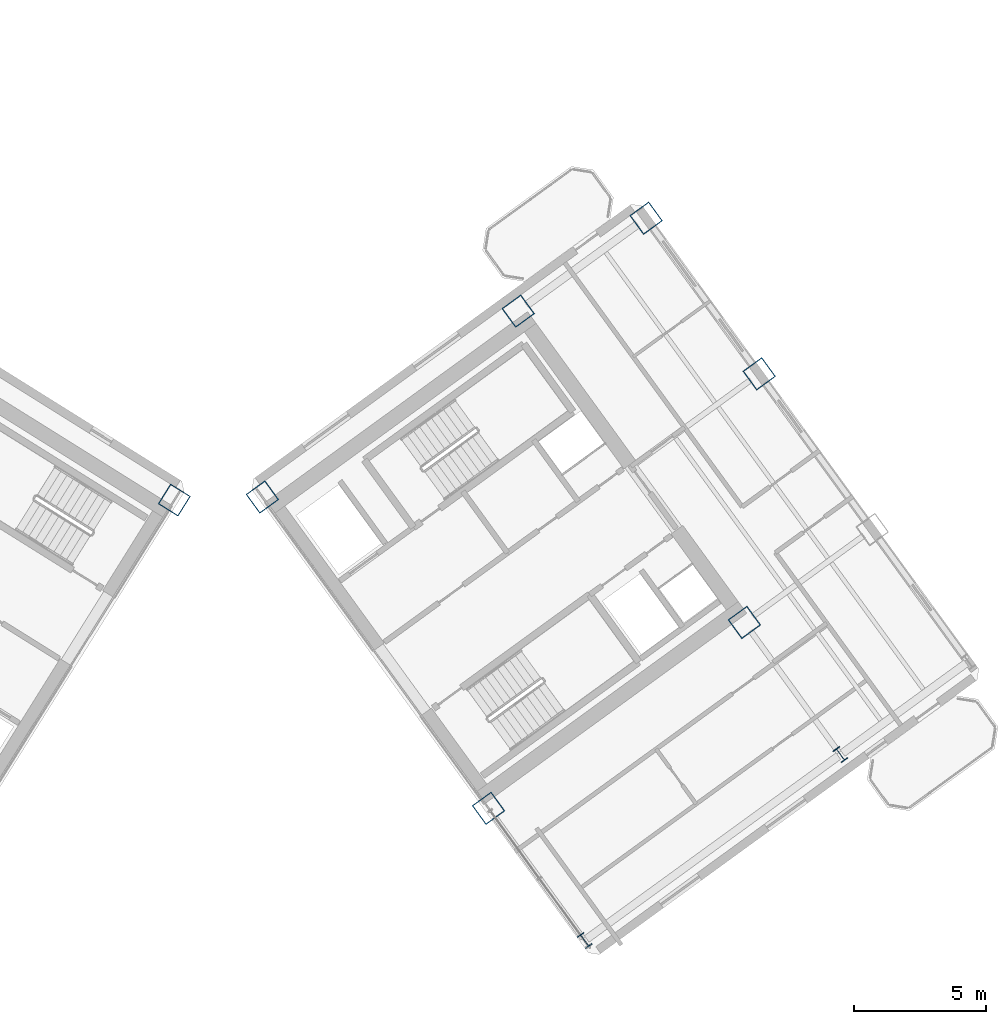
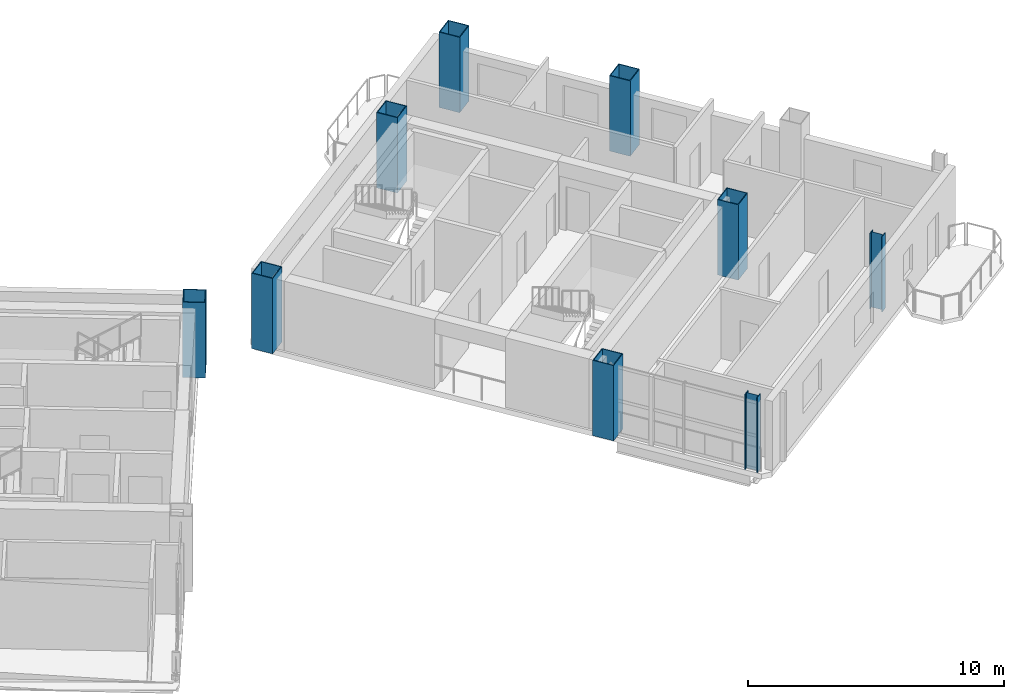
# One storey, part 2 of 18: 9 columns.
"""IFC4 building model written with IfcOpenShell, lengths in metres."""

import ifcopenshell
import ifcopenshell.guid

model = None  # the IFC model being written
_history = None  # IfcOwnerHistory: only IFC2X3 demands one
_inside = {}  # id of a spatial element -> (the spatial element, [elements in it])
_under = {}  # id of a project, library or spatial element -> (it, [spatial elements below it])
_declared = {}  # id of a project -> (the project, [libraries it declares])
_typed = {}  # id of a type object -> (the type object, [elements of that type])
_made_of = {}  # id of a material, layer set ... -> (it, [elements and type objects made of it])


def new_model(schema):
    """Start an empty IFC model of exactly this schema.

    Asked for "IFC4X3", IfcOpenShell would pick the latest addendum, in which some entities
    have other attributes; the version numbers below select the first issue.
    IFC2X3 requires an IfcOwnerHistory on every rooted entity: one is made here for all.
    """
    global model, _history
    if schema == "IFC4X3":
        model = ifcopenshell.file(schema_version=(4, 3, 0, 0))
    else:
        model = ifcopenshell.file(schema=schema)
    _inside.clear()
    _under.clear()
    _declared.clear()
    _typed.clear()
    _made_of.clear()
    _history = None
    if model.schema == "IFC2X3":
        org = make("IfcOrganization", Name="unknown")
        user = make(
            "IfcPersonAndOrganization",
            ThePerson=make("IfcPerson", FamilyName="unknown"),
            TheOrganization=org,
        )
        app = make(
            "IfcApplication",
            ApplicationDeveloper=org,
            Version="unknown",
            ApplicationFullName="unknown",
            ApplicationIdentifier="unknown",
        )
        _history = make(
            "IfcOwnerHistory",
            OwningUser=user,
            OwningApplication=app,
            ChangeAction="ADDED",
            CreationDate=0,
        )
    return model


def make(cls, **values):
    """One entity of the class cls with the attributes given. An attribute that is None is left unset."""
    return model.create_entity(
        cls, **{name: value for name, value in values.items() if value is not None}
    )


def rooted(cls, **values):
    """An entity with a GlobalId (a new one), such as an element, a storey or a relation."""
    return make(cls, GlobalId=ifcopenshell.guid.new(), OwnerHistory=_history, **values)


def si_unit(unit_type, name, prefix=None):
    """IfcSIUnit, for example si_unit("LENGTHUNIT", "METRE", prefix="MILLI")."""
    return make("IfcSIUnit", UnitType=unit_type, Prefix=prefix, Name=name)


def assignment(units):
    """IfcUnitAssignment: the units of a project."""
    return None if units is None else make("IfcUnitAssignment", Units=units)


def point(xyz):
    """IfcCartesianPoint."""
    return None if xyz is None else make("IfcCartesianPoint", Coordinates=xyz)


def direction(xyz):
    """IfcDirection."""
    return None if xyz is None else make("IfcDirection", DirectionRatios=xyz)


def frame(location, z_axis=None, x_axis=None):
    """IfcAxis2Placement3D, a coordinate frame: its origin and axes. An axis left out is left unset."""
    return make(
        "IfcAxis2Placement3D",
        Location=point(location),
        Axis=direction(z_axis),
        RefDirection=direction(x_axis),
    )


def frame_2d(location, x_axis=None):
    """IfcAxis2Placement2D, a coordinate frame in the plane: its origin and x axis."""
    return make(
        "IfcAxis2Placement2D", Location=point(location), RefDirection=direction(x_axis)
    )


def origin():
    """The frame at (0, 0, 0) with its axes left unset."""
    return frame((0.0, 0.0, 0.0))


def origin_2d():
    """The frame at (0, 0) in the plane with its x axis left unset."""
    return frame_2d((0.0, 0.0))


def place(relative_to, where):
    """IfcLocalPlacement: puts the frame where relative to a parent placement (None: the world)."""
    return make(
        "IfcLocalPlacement", PlacementRelTo=relative_to, RelativePlacement=where
    )


def context(
    kind, dimensions, precision=None, world=None, true_north=None, identifier=None
):
    """IfcGeometricRepresentationContext, for example the 3D "Model" context."""
    return make(
        "IfcGeometricRepresentationContext",
        ContextIdentifier=identifier,
        ContextType=kind,
        CoordinateSpaceDimension=dimensions,
        Precision=precision,
        WorldCoordinateSystem=world,
        TrueNorth=true_north,
    )


def subcontext(parent, identifier, kind, view, scale=None):
    """IfcGeometricRepresentationSubContext, for example "Body" below "Model"."""
    return make(
        "IfcGeometricRepresentationSubContext",
        ContextIdentifier=identifier,
        ContextType=kind,
        ParentContext=parent,
        TargetScale=scale,
        TargetView=view,
    )


def project(units=None, contexts=None):
    """IfcProject with its units and contexts."""
    return rooted(
        "IfcProject",
        Name="project",
        RepresentationContexts=contexts,
        UnitsInContext=assignment(units),
    )


def spatial(cls, under=None, at=None, **own):
    """A site, building, storey or space (cls), placed at a placement, below another one or the project."""
    s = rooted(cls, ObjectPlacement=at, **own)
    if under is not None:
        _under.setdefault(under.id(), (under, []))[1].append(s)
    return s


def profile(cls, at=None, kind="AREA", **sizes):
    """A parametric profile (cls). Its sizes go by their IFC names, for example OverallWidth=200.0."""
    return make(cls, ProfileType=kind, Position=at, **sizes)


def hollow_rectangle(**sizes):
    """IfcRectangleHollowProfileDef."""
    return profile("IfcRectangleHollowProfileDef", **sizes)


def i_section(**sizes):
    """IfcIShapeProfileDef."""
    return profile("IfcIShapeProfileDef", **sizes)


def extrude(swept, where, along, depth):
    """IfcExtrudedAreaSolid: the profile swept, set in the frame where, extruded along a direction by depth."""
    return make(
        "IfcExtrudedAreaSolid",
        SweptArea=swept,
        Position=where,
        ExtrudedDirection=direction(along),
        Depth=depth,
    )


def shape(context_of_items, identifier, shape_type, items):
    """IfcShapeRepresentation: the items that make up one representation, for example the "Body"."""
    return make(
        "IfcShapeRepresentation",
        ContextOfItems=context_of_items,
        RepresentationIdentifier=identifier,
        RepresentationType=shape_type,
        Items=items,
    )


def source(mapping_origin, context_of_items, identifier, shape_type, items):
    """IfcRepresentationMap: a shape defined once, which mapped items show again and again."""
    return make(
        "IfcRepresentationMap",
        MappingOrigin=mapping_origin,
        MappedRepresentation=shape(context_of_items, identifier, shape_type, items),
    )


def transform(
    local_origin,
    x_axis=None,
    y_axis=None,
    z_axis=None,
    scale=None,
    scale2=None,
    scale3=None,
    uniform=True,
):
    """IfcCartesianTransformationOperator3D, or its non-uniform kind. x_axis, y_axis, z_axis: its Axis1, 2, 3."""
    if uniform:
        return make(
            "IfcCartesianTransformationOperator3D",
            Axis1=direction(x_axis),
            Axis2=direction(y_axis),
            LocalOrigin=point(local_origin),
            Scale=scale,
            Axis3=direction(z_axis),
        )
    return make(
        "IfcCartesianTransformationOperator3DnonUniform",
        Axis1=direction(x_axis),
        Axis2=direction(y_axis),
        LocalOrigin=point(local_origin),
        Scale=scale,
        Axis3=direction(z_axis),
        Scale2=scale2,
        Scale3=scale3,
    )


def mapped(mapping_source, mapping_target):
    """IfcMappedItem: shows the shape of a source again, moved by a transform."""
    return make(
        "IfcMappedItem", MappingSource=mapping_source, MappingTarget=mapping_target
    )


def material(Name=None, Category=None):
    """IfcMaterial."""
    return make("IfcMaterial", Name=Name, Category=Category)


def material_profile(
    of_material, cross_section, Name=None, Category=None, Priority=None
):
    """IfcMaterialProfile: a cross section and its material."""
    return make(
        "IfcMaterialProfile",
        Name=Name,
        Material=of_material,
        Profile=cross_section,
        Priority=Priority,
        Category=Category,
    )


def profile_set(profiles, Name=None, composite=None):
    """IfcMaterialProfileSet."""
    return make(
        "IfcMaterialProfileSet",
        Name=Name,
        MaterialProfiles=profiles,
        CompositeProfile=composite,
    )


def made_of(thing, what):
    """Note that an element or type object is made of a material, layer set ...; save() writes the relation."""
    if what is not None:
        _made_of.setdefault(what.id(), (what, []))[1].append(thing)
    return thing


def type_object(cls, material=None, **own):
    """A type object (cls), such as IfcWallType, which elements share."""
    return made_of(rooted(cls, **own), material)


def element(
    cls,
    number,
    at=None,
    inside=None,
    cuts=None,
    type_object=None,
    material=None,
    context=None,
    identifier="Body",
    shape_type=None,
    held_by="IfcProductDefinitionShape",
    body=None,
    shapes=None,
    **own,
):
    """One element of the class cls, such as IfcWall. Its Tag is "e" and its number.

    at: its placement. inside: the storey or other place that contains it. cuts: it is an
    opening in that element (IfcRelVoidsElement). A single representation is given by context,
    identifier, shape_type and body (its items); several are given by shapes. held_by: the class
    of the entity that holds the representations. save() writes the other relations.
    """
    e = rooted(cls, Tag="e%d" % number, ObjectPlacement=at, **own)
    if body is not None:
        shapes = [shape(context, identifier, shape_type, body)]
    if shapes is not None:
        e.Representation = make(held_by, Representations=shapes)
    if inside is not None:
        _inside.setdefault(inside.id(), (inside, []))[1].append(e)
    if cuts is not None:
        rooted(
            "IfcRelVoidsElement", RelatingBuildingElement=cuts, RelatedOpeningElement=e
        )
    if type_object is not None:
        _typed.setdefault(type_object.id(), (type_object, []))[1].append(e)
    return made_of(e, material)


def aggregate(whole, parts):
    """IfcRelAggregates: a whole, such as a stair, and the parts it consists of."""
    return rooted("IfcRelAggregates", RelatingObject=whole, RelatedObjects=parts)


def save(model, path):
    """Write the relations noted so far, then the file.

    IfcRelAggregates (storeys below a building ...), IfcRelContainedInSpatialStructure (elements
    in a storey), IfcRelDefinesByType, IfcRelAssociatesMaterial and IfcRelDeclares: one each for
    every whole, place, type object, material and project.
    """
    for whole, parts in _under.values():
        aggregate(whole, parts)
    for where, things in _inside.values():
        rooted(
            "IfcRelContainedInSpatialStructure",
            RelatedElements=things,
            RelatingStructure=where,
        )
    for kind, things in _typed.values():
        rooted("IfcRelDefinesByType", RelatedObjects=things, RelatingType=kind)
    for what, things in _made_of.values():
        rooted("IfcRelAssociatesMaterial", RelatedObjects=things, RelatingMaterial=what)
    for by, libraries in _declared.values():
        rooted("IfcRelDeclares", RelatingContext=by, RelatedDefinitions=libraries)
    model.write(path)


model = new_model("IFC4")

# Units and contexts
model_context = context("Model", 3, precision=1e-05, world=origin(), true_north=direction((0.0, 1.0)))
body_context = subcontext(model_context, "Body", "Model", "MODEL_VIEW")
ifc_project = project(units=[si_unit("LENGTHUNIT", "METRE"), si_unit("AREAUNIT", "SQUARE_METRE"), si_unit("VOLUMEUNIT", "CUBIC_METRE"), si_unit("PLANEANGLEUNIT", "RADIAN"), si_unit("MASSUNIT", "GRAM", prefix="KILO")], contexts=[model_context])

# Site, building, storey
site_placement = place(None, origin())
site = spatial("IfcSite", under=ifc_project, at=site_placement, CompositionType="ELEMENT")
building_placement = place(site_placement, origin())
building = spatial("IfcBuilding", under=site, at=building_placement, Name="Tlacorven Tower", CompositionType="ELEMENT")
storey_placement = place(building_placement, frame((0.0, 0.0, 132.60009765625)))
storey = spatial("IfcBuildingStorey", under=building, at=storey_placement, Name="L33", CompositionType="ELEMENT", Elevation=132.60009765625)

# Columns
ifc_material = material(Name="Steel S460M", Category="steel")
ifc_material_profile_1 = material_profile(ifc_material, hollow_rectangle(XDim=0.89990234375, YDim=0.89990234375, WallThickness=0.035888671875, at=origin_2d()), Name="BOX 900X900X36")
ifc_profile_set_1 = profile_set([ifc_material_profile_1], Name="Steel S460M")
column_type_1 = type_object("IfcColumnType", Name="COL-TWR-S2", PredefinedType="COLUMN", material=ifc_profile_set_1)
shared_shape_1 = source(origin(), body_context, "Body", "SweptSolid", [
    extrude(hollow_rectangle(XDim=0.89990234375, YDim=0.89990234375, WallThickness=0.035888671875, at=origin_2d()), origin(), (0.0, 0.0, 1.0), 3.599853515625),
])
for number, where, z_axis, x_axis, name in (
    (1, (40.782958984375, 24.468505859375, 0.0), (0.0, 0.0, 1.0), (-0.848048096156, 0.529919264233, 0.0), "L33 column COL-L33-W1-1"),
    (2, (52.705322265625, 12.7734375, 0.0), (0.0, 0.0, 1.0), (0.809016994375, 0.587785252292, 0.0), "L33 column COL-L33-E1-2"),
    (3, (44.123779296875, 24.5849609375, 0.0), (0.0, 0.0, 1.0), (0.809016994375, 0.587785252292, 0.0), "L33 column COL-L33-E1-4"),
    (4, (62.41357421875, 19.826904296875, 0.0), (0.0, 0.0, 1.0), (0.809016994375, 0.587785252292, 0.0), "L33 column COL-L33-E3-2"),
    (5, (53.83203125, 31.638427734375, 0.0), (0.0, 0.0, 1.0), (0.809016994375, 0.587785252292, 0.0), "L33 column COL-L33-E3-4"),
    (6, (62.976806640625, 29.25927734375, 0.0), (0.0, 0.0, 1.0), (0.809016994375, 0.587785252292, 0.0), "L33 column COL-L33-E4-3"),
    (7, (58.68603515625, 35.165283203125, 0.0), (0.0, 0.0, 1.0), (0.809016994375, 0.587785252292, 0.0), "L33 column COL-L33-E4-4"),
):
    element("IfcColumn", number, at=place(storey_placement, frame(where, z_axis=z_axis, x_axis=x_axis)), inside=storey, type_object=column_type_1, Name=name, PredefinedType="COLUMN", context=body_context, shape_type="MappedRepresentation", body=[
        mapped(shared_shape_1, transform((0.0, 0.0, 0.0), scale=1.0)),
    ])
ifc_material_profile_2 = material_profile(ifc_material, i_section(OverallWidth=0.300048828125, OverallDepth=0.550048828125, WebThickness=0.014892578125, FlangeThickness=0.029052734375, at=origin_2d()), Name="HEB 550")
ifc_profile_set_2 = profile_set([ifc_material_profile_2], Name="Steel S460M")
column_type_2 = type_object("IfcColumnType", Name="COL-TWR-P2", PredefinedType="COLUMN", material=ifc_profile_set_2)
shared_shape_2 = source(origin(), body_context, "Body", "SweptSolid", [
    extrude(i_section(OverallWidth=0.300048828125, OverallDepth=0.550048828125, WebThickness=0.014892578125, FlangeThickness=0.029052734375, at=origin_2d()), origin(), (0.0, 0.0, 1.0), 3.599853515625),
])
for number, where, z_axis, x_axis, name in (
    (8, (56.349609375, 7.757568359375, 0.0), (0.0, 0.0, 1.0), (0.809016994375, 0.587785252292, 0.0), "L33 column COL-L33-E1-1"),
    (9, (66.057861328125, 14.81103515625, 0.0), (0.0, 0.0, 1.0), (0.809016994375, 0.587785252292, 0.0), "L33 column COL-L33-E3-1"),
):
    element("IfcColumn", number, at=place(storey_placement, frame(where, z_axis=z_axis, x_axis=x_axis)), inside=storey, type_object=column_type_2, Name=name, PredefinedType="COLUMN", context=body_context, shape_type="MappedRepresentation", body=[
        mapped(shared_shape_2, transform((0.0, 0.0, 0.0), scale=1.0)),
    ])

save(model, "model.ifc")
